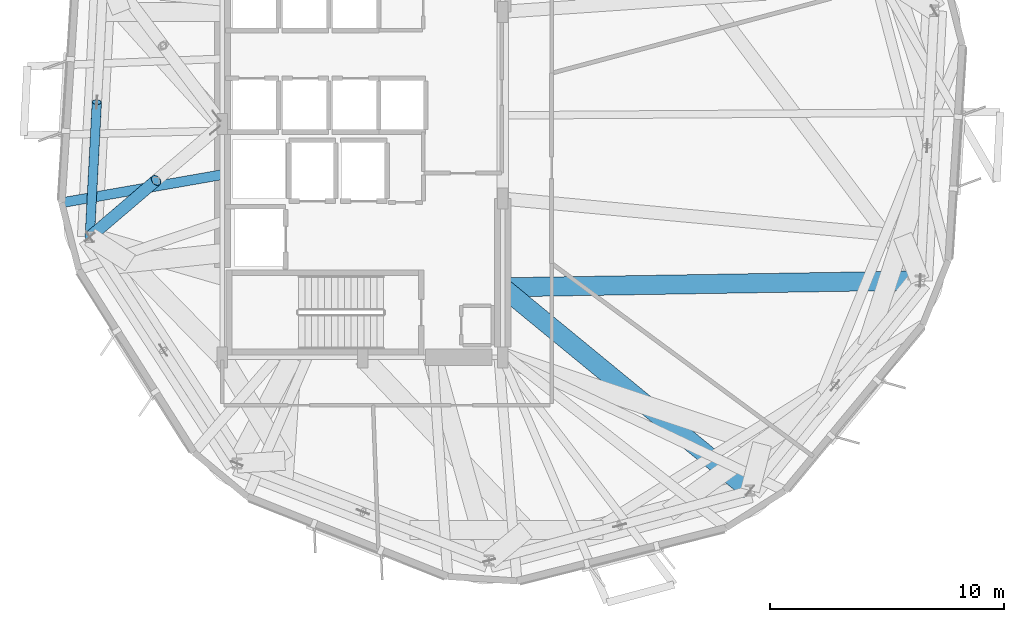
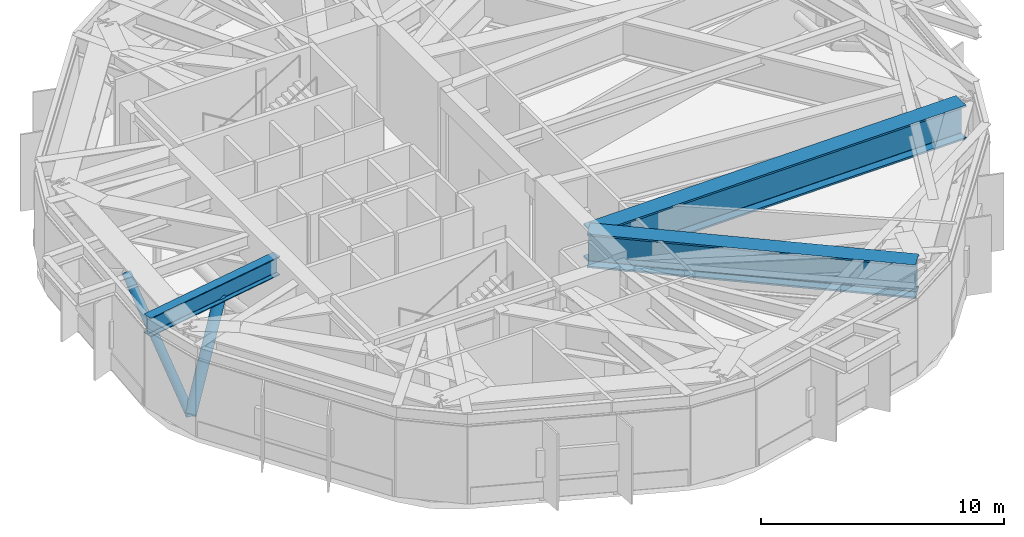
# One storey, part 2 of 13: 3 beams, 2 members.
"""IFC4 building model written with IfcOpenShell, lengths in metres."""

from ifc_helpers import new_model, si_unit, direction, frame, origin, origin_2d, place, context, subcontext, project, spatial, hollow_circle, i_section, extrude, material, material_profile, profile_set, type_object, element, save


model = new_model("IFC4")

# Units and contexts
model_context = context("Model", 3, precision=1e-05, world=origin(), true_north=direction((0.0, 1.0)))
body_context = subcontext(model_context, "Body", "Model", "MODEL_VIEW")
ifc_project = project(units=[si_unit("LENGTHUNIT", "METRE"), si_unit("AREAUNIT", "SQUARE_METRE"), si_unit("VOLUMEUNIT", "CUBIC_METRE"), si_unit("PLANEANGLEUNIT", "RADIAN"), si_unit("MASSUNIT", "GRAM", prefix="KILO")], contexts=[model_context])

# Site, building, storey
site_placement = place(None, origin())
site = spatial("IfcSite", under=ifc_project, at=site_placement, CompositionType="ELEMENT")
building_placement = place(site_placement, origin())
building = spatial("IfcBuilding", under=site, at=building_placement, Name="Soratama Intermodal Tower", CompositionType="ELEMENT")
storey_placement = place(building_placement, frame((0.0, 0.0, 82.60009765625)))
storey = spatial("IfcBuildingStorey", under=building, at=storey_placement, Name="L19", CompositionType="ELEMENT", Elevation=82.60009765625)

# Beams
ifc_material_1 = material(Name="Structural steel ASTM A992 Grade 50", Category="steel")
ifc_material_profile_1 = material_profile(ifc_material_1, i_section(OverallWidth=0.423095703125, OverallDepth=0.93896484375, WebThickness=0.02392578125, FlangeThickness=0.042724609375, FilletRadius=0.02392578125, at=origin_2d()), Name="W36X302")
ifc_profile_set_1 = profile_set([ifc_material_profile_1], Name="Structural steel ASTM A992 Grade 50")
beam_type_1 = type_object("IfcBeamType", Name="BM-POD-W36X302", PredefinedType="BEAM", material=ifc_profile_set_1)
beam_1_placement = place(storey_placement, frame((32.56103515625, 22.821044921875, 4.030517578125), z_axis=(-0.985017047934, -0.172456995451, 0.0), x_axis=(0.172456995451, -0.985017047934, 0.0)))
element("IfcBeam", 1, at=beam_1_placement, inside=storey, type_object=beam_type_1, Name="BM-L19-TIE1-05", PredefinedType="BEAM", context=body_context, shape_type="SweptSolid", body=[
    extrude(i_section(OverallWidth=0.423095703125, OverallDepth=0.93896484375, WebThickness=0.02392578125, FlangeThickness=0.042724609375, FilletRadius=0.02392578125, at=origin_2d()), origin(), (0.0, 0.0, 1.0), 6.952392578125),
])
ifc_material_2 = material(Name="Structural steel ASTM A992 Grade 50", Category="steel")
ifc_material_profile_2 = material_profile(ifc_material_2, i_section(OverallWidth=0.820068359375, OverallDepth=1.699951171875, WebThickness=0.053955078125, FlangeThickness=0.087890625, FilletRadius=0.02392578125, at=origin_2d()), Name="PG1580X800")
ifc_profile_set_2 = profile_set([ifc_material_profile_2], Name="Structural steel ASTM A992 Grade 50")
beam_type_2 = type_object("IfcBeamType", Name="BM-ZSTEP-PG1580", PredefinedType="BEAM", material=ifc_profile_set_2)
beam_2_placement = place(storey_placement, frame((44.60009765625, 18.0, 3.64990234375), z_axis=(0.77286442424, -0.634571179415, 0.0), x_axis=(0.634571179415, 0.77286442424, 0.0)))
element("IfcBeam", 2, at=beam_2_placement, inside=storey, type_object=beam_type_2, Name="BM-L19-RAD-09", PredefinedType="BEAM", context=body_context, shape_type="SweptSolid", body=[
    extrude(i_section(OverallWidth=0.820068359375, OverallDepth=1.699951171875, WebThickness=0.053955078125, FlangeThickness=0.087890625, FilletRadius=0.02392578125, at=origin_2d()), origin(), (0.0, 0.0, 1.0), 13.7099609375),
])
beam_3_placement = place(storey_placement, frame((44.60009765625, 18.0, 3.64990234375), z_axis=(0.999867526408, 0.016276659176, 0.0), x_axis=(-0.016276659176, 0.999867526408, 0.0)))
element("IfcBeam", 3, at=beam_3_placement, inside=storey, type_object=beam_type_2, Name="BM-L19-RAD-10", PredefinedType="BEAM", context=body_context, shape_type="SweptSolid", body=[
    extrude(i_section(OverallWidth=0.820068359375, OverallDepth=1.699951171875, WebThickness=0.053955078125, FlangeThickness=0.087890625, FilletRadius=0.02392578125, at=origin_2d()), origin(), (0.0, 0.0, 1.0), 17.87939453125),
])

# Members
ifc_material_3 = material(Name="Structural steel ASTM A500 Grade C", Category="steel")
ifc_material_profile_3 = material_profile(ifc_material_3, hollow_circle(Radius=0.203125, WallThickness=0.01611328125, at=origin_2d()), Name="CHS406X16")
ifc_profile_set_3 = profile_set([ifc_material_profile_3], Name="Structural steel ASTM A500 Grade C")
member_type_1 = type_object("IfcMemberType", Name="MB-BLT-CHS406", PredefinedType="BRACE", material=ifc_profile_set_3)
member_1_placement = place(storey_placement, frame((26.91796875, 20.15478515625, 0.010009765625), z_axis=(0.044739598437, 0.853768643393, 0.518726779616), x_axis=(-0.998629811069, 0.052330683587, 0.0)))
element("IfcMember", 4, at=member_1_placement, inside=storey, type_object=member_type_1, Name="L19 Belt Truss Brace B 05", PredefinedType="BRACE", context=body_context, shape_type="SweptSolid", body=[
    extrude(hollow_circle(Radius=0.203125, WallThickness=0.01611328125, at=origin_2d()), origin(), (0.0, 0.0, 1.0), 6.7666015625),
])
ifc_material_4 = material(Name="Structural steel ASTM A500 Grade C", Category="steel")
ifc_material_profile_4 = material_profile(ifc_material_4, hollow_circle(Radius=0.25390625, WallThickness=0.01904296875, at=origin_2d()), Name="CHS508X19")
ifc_profile_set_4 = profile_set([ifc_material_profile_4], Name="Structural steel ASTM A500 Grade C")
member_type_2 = type_object("IfcMemberType", Name="MB-OUT-CHS508", PredefinedType="BRACE", material=ifc_profile_set_4)
member_2_placement = place(storey_placement, frame((26.91796875, 20.15478515625, 0.010009765625), z_axis=(0.544821575012, 0.46461537374, 0.698070201259), x_axis=(-0.648877577474, 0.760892823893, 0.0)))
element("IfcMember", 5, at=member_2_placement, inside=storey, type_object=member_type_2, Name="L19 Outrigger Brace Outer 06", PredefinedType="BRACE", context=body_context, shape_type="SweptSolid", body=[
    extrude(hollow_circle(Radius=0.25390625, WallThickness=0.01904296875, at=origin_2d()), origin(), (0.0, 0.0, 1.0), 5.214111328125),
])

save(model, "model.ifc")
